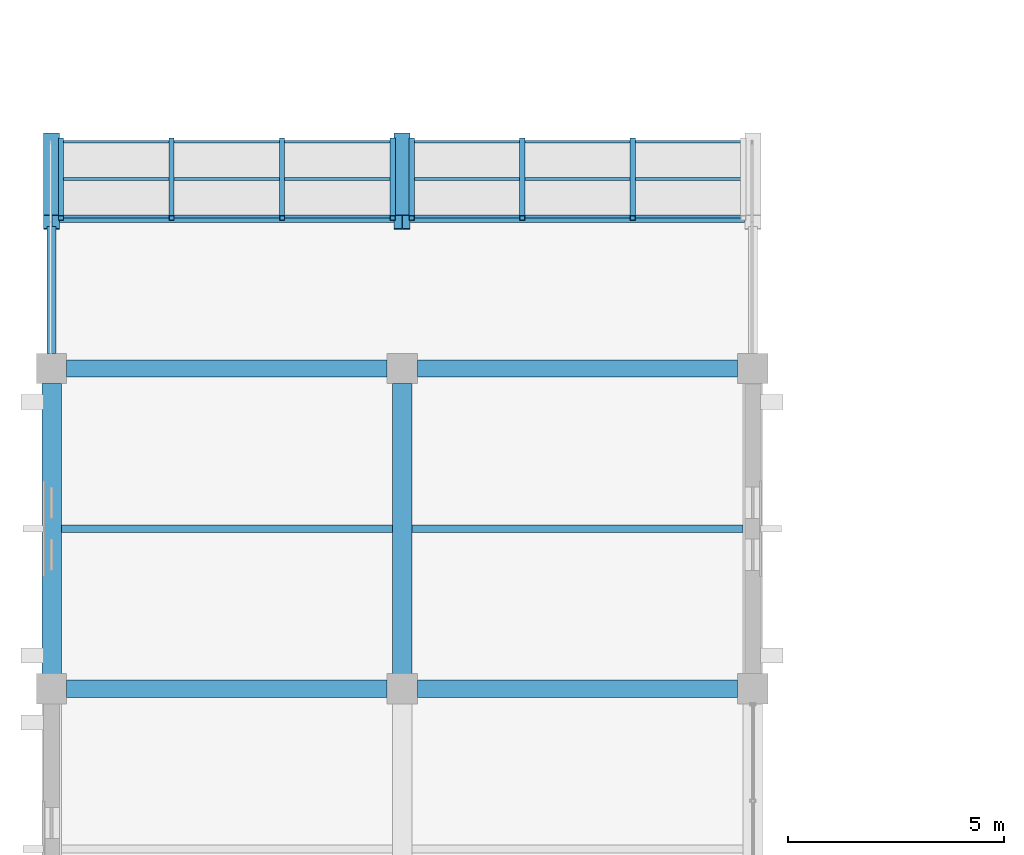
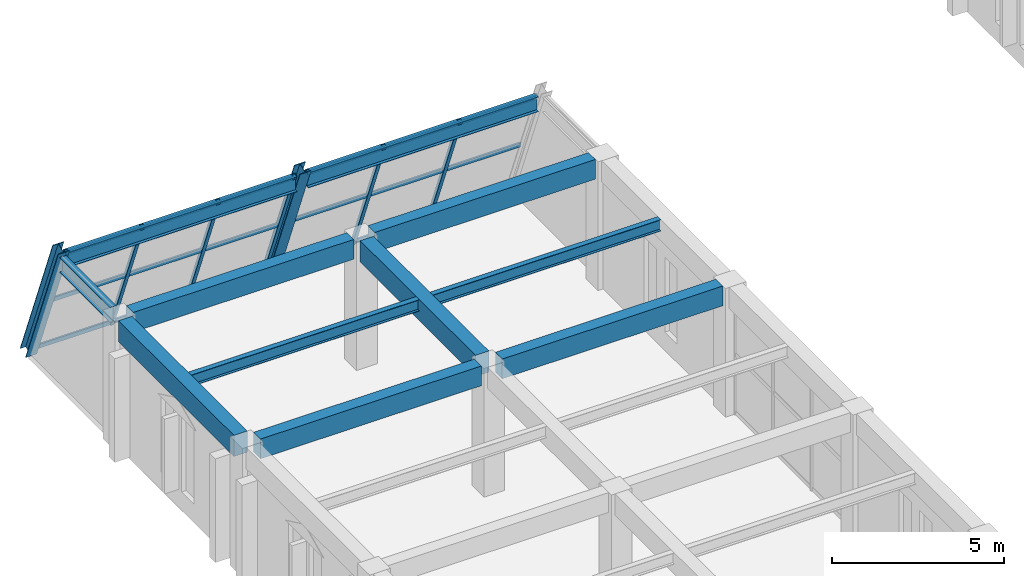
# One storey, part 68 of 161: 15 members, 11 beams, 2 elements without a shape of their own.
"""IFC4 building model written with IfcOpenShell, lengths in metres."""

import ifcopenshell
import ifcopenshell.guid

model = None  # the IFC model being written
_history = None  # IfcOwnerHistory: only IFC2X3 demands one
_inside = {}  # id of a spatial element -> (the spatial element, [elements in it])
_under = {}  # id of a project, library or spatial element -> (it, [spatial elements below it])
_declared = {}  # id of a project -> (the project, [libraries it declares])
_typed = {}  # id of a type object -> (the type object, [elements of that type])
_made_of = {}  # id of a material, layer set ... -> (it, [elements and type objects made of it])


def new_model(schema):
    """Start an empty IFC model of exactly this schema.

    Asked for "IFC4X3", IfcOpenShell would pick the latest addendum, in which some entities
    have other attributes; the version numbers below select the first issue.
    IFC2X3 requires an IfcOwnerHistory on every rooted entity: one is made here for all.
    """
    global model, _history
    if schema == "IFC4X3":
        model = ifcopenshell.file(schema_version=(4, 3, 0, 0))
    else:
        model = ifcopenshell.file(schema=schema)
    _inside.clear()
    _under.clear()
    _declared.clear()
    _typed.clear()
    _made_of.clear()
    _history = None
    if model.schema == "IFC2X3":
        org = make("IfcOrganization", Name="unknown")
        user = make(
            "IfcPersonAndOrganization",
            ThePerson=make("IfcPerson", FamilyName="unknown"),
            TheOrganization=org,
        )
        app = make(
            "IfcApplication",
            ApplicationDeveloper=org,
            Version="unknown",
            ApplicationFullName="unknown",
            ApplicationIdentifier="unknown",
        )
        _history = make(
            "IfcOwnerHistory",
            OwningUser=user,
            OwningApplication=app,
            ChangeAction="ADDED",
            CreationDate=0,
        )
    return model


def make(cls, **values):
    """One entity of the class cls with the attributes given. An attribute that is None is left unset."""
    return model.create_entity(
        cls, **{name: value for name, value in values.items() if value is not None}
    )


def rooted(cls, **values):
    """An entity with a GlobalId (a new one), such as an element, a storey or a relation."""
    return make(cls, GlobalId=ifcopenshell.guid.new(), OwnerHistory=_history, **values)


def si_unit(unit_type, name, prefix=None):
    """IfcSIUnit, for example si_unit("LENGTHUNIT", "METRE", prefix="MILLI")."""
    return make("IfcSIUnit", UnitType=unit_type, Prefix=prefix, Name=name)


def assignment(units):
    """IfcUnitAssignment: the units of a project."""
    return None if units is None else make("IfcUnitAssignment", Units=units)


def point(xyz):
    """IfcCartesianPoint."""
    return None if xyz is None else make("IfcCartesianPoint", Coordinates=xyz)


def direction(xyz):
    """IfcDirection."""
    return None if xyz is None else make("IfcDirection", DirectionRatios=xyz)


def frame(location, z_axis=None, x_axis=None):
    """IfcAxis2Placement3D, a coordinate frame: its origin and axes. An axis left out is left unset."""
    return make(
        "IfcAxis2Placement3D",
        Location=point(location),
        Axis=direction(z_axis),
        RefDirection=direction(x_axis),
    )


def frame_2d(location, x_axis=None):
    """IfcAxis2Placement2D, a coordinate frame in the plane: its origin and x axis."""
    return make(
        "IfcAxis2Placement2D", Location=point(location), RefDirection=direction(x_axis)
    )


def origin():
    """The frame at (0, 0, 0) with its axes left unset."""
    return frame((0.0, 0.0, 0.0))


def origin_2d():
    """The frame at (0, 0) in the plane with its x axis left unset."""
    return frame_2d((0.0, 0.0))


def place(relative_to, where):
    """IfcLocalPlacement: puts the frame where relative to a parent placement (None: the world)."""
    return make(
        "IfcLocalPlacement", PlacementRelTo=relative_to, RelativePlacement=where
    )


def context(
    kind, dimensions, precision=None, world=None, true_north=None, identifier=None
):
    """IfcGeometricRepresentationContext, for example the 3D "Model" context."""
    return make(
        "IfcGeometricRepresentationContext",
        ContextIdentifier=identifier,
        ContextType=kind,
        CoordinateSpaceDimension=dimensions,
        Precision=precision,
        WorldCoordinateSystem=world,
        TrueNorth=true_north,
    )


def subcontext(parent, identifier, kind, view, scale=None):
    """IfcGeometricRepresentationSubContext, for example "Body" below "Model"."""
    return make(
        "IfcGeometricRepresentationSubContext",
        ContextIdentifier=identifier,
        ContextType=kind,
        ParentContext=parent,
        TargetScale=scale,
        TargetView=view,
    )


def project(units=None, contexts=None):
    """IfcProject with its units and contexts."""
    return rooted(
        "IfcProject",
        Name="project",
        RepresentationContexts=contexts,
        UnitsInContext=assignment(units),
    )


def spatial(cls, under=None, at=None, **own):
    """A site, building, storey or space (cls), placed at a placement, below another one or the project."""
    s = rooted(cls, ObjectPlacement=at, **own)
    if under is not None:
        _under.setdefault(under.id(), (under, []))[1].append(s)
    return s


def profile(cls, at=None, kind="AREA", **sizes):
    """A parametric profile (cls). Its sizes go by their IFC names, for example OverallWidth=200.0."""
    return make(cls, ProfileType=kind, Position=at, **sizes)


def rectangle(**sizes):
    """IfcRectangleProfileDef."""
    return profile("IfcRectangleProfileDef", **sizes)


def hollow_rectangle(**sizes):
    """IfcRectangleHollowProfileDef."""
    return profile("IfcRectangleHollowProfileDef", **sizes)


def i_section(**sizes):
    """IfcIShapeProfileDef."""
    return profile("IfcIShapeProfileDef", **sizes)


def extrude(swept, where, along, depth):
    """IfcExtrudedAreaSolid: the profile swept, set in the frame where, extruded along a direction by depth."""
    return make(
        "IfcExtrudedAreaSolid",
        SweptArea=swept,
        Position=where,
        ExtrudedDirection=direction(along),
        Depth=depth,
    )


def shape(context_of_items, identifier, shape_type, items):
    """IfcShapeRepresentation: the items that make up one representation, for example the "Body"."""
    return make(
        "IfcShapeRepresentation",
        ContextOfItems=context_of_items,
        RepresentationIdentifier=identifier,
        RepresentationType=shape_type,
        Items=items,
    )


def material(Name=None, Category=None):
    """IfcMaterial."""
    return make("IfcMaterial", Name=Name, Category=Category)


def material_profile(
    of_material, cross_section, Name=None, Category=None, Priority=None
):
    """IfcMaterialProfile: a cross section and its material."""
    return make(
        "IfcMaterialProfile",
        Name=Name,
        Material=of_material,
        Profile=cross_section,
        Priority=Priority,
        Category=Category,
    )


def profile_set(profiles, Name=None, composite=None):
    """IfcMaterialProfileSet."""
    return make(
        "IfcMaterialProfileSet",
        Name=Name,
        MaterialProfiles=profiles,
        CompositeProfile=composite,
    )


def made_of(thing, what):
    """Note that an element or type object is made of a material, layer set ...; save() writes the relation."""
    if what is not None:
        _made_of.setdefault(what.id(), (what, []))[1].append(thing)
    return thing


def type_object(cls, material=None, **own):
    """A type object (cls), such as IfcWallType, which elements share."""
    return made_of(rooted(cls, **own), material)


def element(
    cls,
    number,
    at=None,
    inside=None,
    cuts=None,
    type_object=None,
    material=None,
    context=None,
    identifier="Body",
    shape_type=None,
    held_by="IfcProductDefinitionShape",
    body=None,
    shapes=None,
    **own,
):
    """One element of the class cls, such as IfcWall. Its Tag is "e" and its number.

    at: its placement. inside: the storey or other place that contains it. cuts: it is an
    opening in that element (IfcRelVoidsElement). A single representation is given by context,
    identifier, shape_type and body (its items); several are given by shapes. held_by: the class
    of the entity that holds the representations. save() writes the other relations.
    """
    e = rooted(cls, Tag="e%d" % number, ObjectPlacement=at, **own)
    if body is not None:
        shapes = [shape(context, identifier, shape_type, body)]
    if shapes is not None:
        e.Representation = make(held_by, Representations=shapes)
    if inside is not None:
        _inside.setdefault(inside.id(), (inside, []))[1].append(e)
    if cuts is not None:
        rooted(
            "IfcRelVoidsElement", RelatingBuildingElement=cuts, RelatedOpeningElement=e
        )
    if type_object is not None:
        _typed.setdefault(type_object.id(), (type_object, []))[1].append(e)
    return made_of(e, material)


def aggregate(whole, parts):
    """IfcRelAggregates: a whole, such as a stair, and the parts it consists of."""
    return rooted("IfcRelAggregates", RelatingObject=whole, RelatedObjects=parts)


def save(model, path):
    """Write the relations noted so far, then the file.

    IfcRelAggregates (storeys below a building ...), IfcRelContainedInSpatialStructure (elements
    in a storey), IfcRelDefinesByType, IfcRelAssociatesMaterial and IfcRelDeclares: one each for
    every whole, place, type object, material and project.
    """
    for whole, parts in _under.values():
        aggregate(whole, parts)
    for where, things in _inside.values():
        rooted(
            "IfcRelContainedInSpatialStructure",
            RelatedElements=things,
            RelatingStructure=where,
        )
    for kind, things in _typed.values():
        rooted("IfcRelDefinesByType", RelatedObjects=things, RelatingType=kind)
    for what, things in _made_of.values():
        rooted("IfcRelAssociatesMaterial", RelatedObjects=things, RelatingMaterial=what)
    for by, libraries in _declared.values():
        rooted("IfcRelDeclares", RelatingContext=by, RelatedDefinitions=libraries)
    model.write(path)


model = new_model("IFC4")

# Units and contexts
model_context = context("Model", 3, precision=1e-05, world=origin(), true_north=direction((0.0, 1.0)))
body_context = subcontext(model_context, "Body", "Model", "MODEL_VIEW")
ifc_project = project(units=[si_unit("LENGTHUNIT", "METRE"), si_unit("AREAUNIT", "SQUARE_METRE"), si_unit("VOLUMEUNIT", "CUBIC_METRE"), si_unit("PLANEANGLEUNIT", "RADIAN"), si_unit("MASSUNIT", "GRAM", prefix="KILO")], contexts=[model_context])

# Site, building, storey
site_placement = place(None, origin())
site = spatial("IfcSite", under=ifc_project, at=site_placement, CompositionType="ELEMENT")
building_placement = place(site_placement, origin())
building = spatial("IfcBuilding", under=site, at=building_placement, Name="Cimatlan Art Gallery", CompositionType="ELEMENT")
storey_placement = place(building_placement, frame((0.0, 0.0, 5.39990234375)))
storey = spatial("IfcBuildingStorey", under=building, at=storey_placement, Name="L01", CompositionType="ELEMENT", Elevation=5.39990234375)

# Beams
ifc_material_1 = material(Name="Concrete C40/50", Category="concrete")
ifc_material_profile_1 = material_profile(ifc_material_1, rectangle(XDim=0.39990234375, YDim=0.699951171875, at=origin_2d()), Name="RC400X700")
ifc_profile_set_1 = profile_set([ifc_material_profile_1], Name="Concrete C40/50")
beam_type_1 = type_object("IfcBeamType", Name="BM-RC-400X700", PredefinedType="BEAM", material=ifc_profile_set_1)
for number, where, z_axis, x_axis, name in (
    (1, (2.35009765625, 83.10009765625, 4.210205078125), (1.0, 0.0, 0.0), (0.0, 1.0, 0.0), "BM-X-L01-00-11"),
    (2, (2.35009765625, 90.5, 4.210205078125), (1.0, 0.0, 0.0), (0.0, 1.0, 0.0), "BM-X-L01-00-12"),
):
    element("IfcBeam", number, at=place(storey_placement, frame(where, z_axis=z_axis, x_axis=x_axis)), inside=storey, type_object=beam_type_1, Name=name, PredefinedType="BEAM", context=body_context, shape_type="SweptSolid", body=[
        extrude(rectangle(XDim=0.39990234375, YDim=0.699951171875, at=origin_2d()), origin(), (0.0, 0.0, 1.0), 7.39990234375),
    ])
for number, where, z_axis, x_axis, name in (
    (3, (10.449951171875, 83.10009765625, 4.210205078125), (1.0, 0.0, 0.0), (0.0, 1.0, 0.0), "BM-X-L01-01-11"),
    (4, (10.449951171875, 90.5, 4.210205078125), (1.0, 0.0, 0.0), (0.0, 1.0, 0.0), "BM-X-L01-01-12"),
):
    element("IfcBeam", number, at=place(storey_placement, frame(where, z_axis=z_axis, x_axis=x_axis)), inside=storey, type_object=beam_type_1, Name=name, PredefinedType="BEAM", context=body_context, shape_type="SweptSolid", body=[
        extrude(rectangle(XDim=0.39990234375, YDim=0.699951171875, at=origin_2d()), origin(), (0.0, 0.0, 1.0), 7.400146484375),
    ])
ifc_material_profile_2 = material_profile(ifc_material_1, rectangle(XDim=0.449951171875, YDim=0.75, at=origin_2d()), Name="RC450X750")
ifc_profile_set_2 = profile_set([ifc_material_profile_2], Name="Concrete C40/50")
beam_type_2 = type_object("IfcBeamType", Name="BM-RC-450X750", PredefinedType="BEAM", material=ifc_profile_set_2)
for number, where, z_axis, x_axis, name in (
    (5, (2.0, 83.449951171875, 4.18505859375), (0.0, 1.0, 0.0), (-1.0, 0.0, 0.0), "BM-Y-L01-00-11"),
    (6, (10.10009765625, 83.449951171875, 4.18505859375), (0.0, 1.0, 0.0), (-1.0, 0.0, 0.0), "BM-Y-L01-01-11"),
):
    element("IfcBeam", number, at=place(storey_placement, frame(where, z_axis=z_axis, x_axis=x_axis)), inside=storey, type_object=beam_type_2, Name=name, PredefinedType="BEAM", context=body_context, shape_type="SweptSolid", body=[
        extrude(rectangle(XDim=0.449951171875, YDim=0.75, at=origin_2d()), origin(), (0.0, 0.0, 1.0), 6.699951171875),
    ])
ifc_material_2 = material(Name="Steel ASTM A992 Grade 50", Category="steel")
ifc_material_profile_3 = material_profile(ifc_material_2, i_section(OverallWidth=0.177978515625, OverallDepth=0.406982421875, WebThickness=0.0078125, FlangeThickness=0.0126953125, at=origin_2d()), Name="W16X40")
ifc_profile_set_3 = profile_set([ifc_material_profile_3], Name="Steel ASTM A992 Grade 50")
beam_type_3 = type_object("IfcBeamType", Name="BM-STL-W16X40", PredefinedType="JOIST", material=ifc_profile_set_3)
beam_1_placement = place(storey_placement, frame((2.22509765625, 86.800048828125, 4.356689453125), z_axis=(1.0, 0.0, 0.0), x_axis=(0.0, 1.0, 0.0)))
element("IfcBeam", 7, at=beam_1_placement, inside=storey, type_object=beam_type_3, Name="JST-L01-00-11", PredefinedType="JOIST", context=body_context, shape_type="SweptSolid", body=[
    extrude(i_section(OverallWidth=0.177978515625, OverallDepth=0.406982421875, WebThickness=0.0078125, FlangeThickness=0.0126953125, at=origin_2d()), origin(), (0.0, 0.0, 1.0), 7.64990234375),
])
beam_2_placement = place(storey_placement, frame((10.324951171875, 86.800048828125, 4.356689453125), z_axis=(1.0, 0.0, 0.0), x_axis=(0.0, 1.0, 0.0)))
element("IfcBeam", 8, at=beam_2_placement, inside=storey, type_object=beam_type_3, Name="JST-L01-01-11", PredefinedType="JOIST", context=body_context, shape_type="SweptSolid", body=[
    extrude(i_section(OverallWidth=0.177978515625, OverallDepth=0.406982421875, WebThickness=0.0078125, FlangeThickness=0.0126953125, at=origin_2d()), origin(), (0.0, 0.0, 1.0), 7.650146484375),
])
ifc_material_profile_4 = material_profile(ifc_material_2, i_section(OverallWidth=0.2099609375, OverallDepth=0.532958984375, WebThickness=0.01025390625, FlangeThickness=0.015625, at=origin_2d()), Name="W21X62")
ifc_profile_set_4 = profile_set([ifc_material_profile_4], Name="Steel ASTM A992 Grade 50")
beam_type_4 = type_object("IfcBeamType", Name="BM-STL-W21X62", PredefinedType="BEAM", material=ifc_profile_set_4)
for number, where, z_axis, x_axis, name in (
    (9, (2.18994140625, 93.976806640625, 4.293701171875), (1.0, 0.0, 0.0), (0.0, 1.0, 0.0), "BM-PRW-X-L01-B1-0"),
    (10, (10.2900390625, 93.976806640625, 4.293701171875), (1.0, 0.0, 0.0), (0.0, 1.0, 0.0), "BM-PRW-X-L01-B1-1"),
):
    element("IfcBeam", number, at=place(storey_placement, frame(where, z_axis=z_axis, x_axis=x_axis)), inside=storey, type_object=beam_type_4, Name=name, PredefinedType="BEAM", context=body_context, shape_type="SweptSolid", body=[
        extrude(i_section(OverallWidth=0.2099609375, OverallDepth=0.532958984375, WebThickness=0.01025390625, FlangeThickness=0.015625, at=origin_2d()), origin(), (0.0, 0.0, 1.0), 7.719970703125),
    ])
beam_3_placement = place(storey_placement, frame((2.0, 90.85009765625, 4.293701171875), z_axis=(0.0, 1.0, 0.0), x_axis=(-1.0, 0.0, 0.0)))
element("IfcBeam", 11, at=beam_3_placement, inside=storey, type_object=beam_type_4, Name="BM-PRW-Y-L01-B1-0", PredefinedType="BEAM", context=body_context, shape_type="SweptSolid", body=[
    extrude(i_section(OverallWidth=0.2099609375, OverallDepth=0.532958984375, WebThickness=0.01025390625, FlangeThickness=0.015625, at=origin_2d()), origin(), (0.0, 0.0, 1.0), 2.9365234375),
])

# Curtain wall, members
ifc_material_3 = material(Name="Raked steel-and-bronze lancet curtain wall", Category="steel")
curtain_wall_type = type_object("IfcCurtainWallType", Name="CW-RAK-07660X04901-B3", PredefinedType="NOTDEFINED", material=ifc_material_3)
curtain_wall_1_placement = place(storey_placement, origin())
curtain_wall_1 = element("IfcCurtainWall", 12, at=curtain_wall_1_placement, inside=storey, type_object=curtain_wall_type, Name="CW-PROW-L01-B1-0", PredefinedType="NOTDEFINED")
ifc_material_4 = material(Name="Steel ASTM A500 Grade C", Category="steel")
ifc_material_profile_5 = material_profile(ifc_material_4, hollow_rectangle(XDim=0.1201171875, YDim=0.1201171875, WallThickness=0.00634765625, at=origin_2d()), Name="HSS120X120X6")
ifc_profile_set_5 = profile_set([ifc_material_profile_5], Name="Steel ASTM A500 Grade C")
member_type_1 = type_object("IfcMemberType", Name="CW-MUL-RAK", PredefinedType="MULLION", material=ifc_profile_set_5)
member_1_placement = place(storey_placement, frame((2.219970703125, 95.77294921875, 0.0), z_axis=(0.0, -0.366481396036, 0.930425379254), x_axis=(1.0, 0.0, 0.0)))
member_1 = element("IfcMember", 13, at=member_1_placement, type_object=member_type_1, Name="CW-PROW-L01-B1-0-M1", PredefinedType="MULLION", context=body_context, shape_type="SweptSolid", body=[
    extrude(hollow_rectangle(XDim=0.1201171875, YDim=0.1201171875, WallThickness=0.00634765625, at=origin_2d()), origin(), (0.0, 0.0, 1.0), 4.901123046875),
])
member_2_placement = place(storey_placement, frame((4.773193359375, 95.77294921875, 0.0), z_axis=(0.0, -0.366481396036, 0.930425379254), x_axis=(1.0, 0.0, 0.0)))
member_2 = element("IfcMember", 14, at=member_2_placement, type_object=member_type_1, Name="CW-PROW-L01-B1-0-M2", PredefinedType="MULLION", context=body_context, shape_type="SweptSolid", body=[
    extrude(hollow_rectangle(XDim=0.1201171875, YDim=0.1201171875, WallThickness=0.00634765625, at=origin_2d()), origin(), (0.0, 0.0, 1.0), 4.901123046875),
])
member_3_placement = place(storey_placement, frame((7.32666015625, 95.77294921875, 0.0), z_axis=(0.0, -0.366481396036, 0.930425379254), x_axis=(1.0, 0.0, 0.0)))
member_3 = element("IfcMember", 15, at=member_3_placement, type_object=member_type_1, Name="CW-PROW-L01-B1-0-M3", PredefinedType="MULLION", context=body_context, shape_type="SweptSolid", body=[
    extrude(hollow_rectangle(XDim=0.1201171875, YDim=0.1201171875, WallThickness=0.00634765625, at=origin_2d()), origin(), (0.0, 0.0, 1.0), 4.901123046875),
])
member_4_placement = place(storey_placement, frame((9.8798828125, 95.77294921875, 0.0), z_axis=(0.0, -0.366481396036, 0.930425379254), x_axis=(1.0, 0.0, 0.0)))
member_4 = element("IfcMember", 16, at=member_4_placement, type_object=member_type_1, Name="CW-PROW-L01-B1-0-M4", PredefinedType="MULLION", context=body_context, shape_type="SweptSolid", body=[
    extrude(hollow_rectangle(XDim=0.1201171875, YDim=0.1201171875, WallThickness=0.00634765625, at=origin_2d()), origin(), (0.0, 0.0, 1.0), 4.901123046875),
])

curtain_wall_2_placement = place(storey_placement, origin())
curtain_wall_2 = element("IfcCurtainWall", 17, at=curtain_wall_2_placement, inside=storey, type_object=curtain_wall_type, Name="CW-PROW-L01-B1-1", PredefinedType="NOTDEFINED")
member_5_placement = place(storey_placement, frame((10.320068359375, 95.77294921875, 0.0), z_axis=(0.0, -0.366481396036, 0.930425379254), x_axis=(1.0, 0.0, 0.0)))
member_5 = element("IfcMember", 18, at=member_5_placement, type_object=member_type_1, Name="CW-PROW-L01-B1-1-M1", PredefinedType="MULLION", context=body_context, shape_type="SweptSolid", body=[
    extrude(hollow_rectangle(XDim=0.1201171875, YDim=0.1201171875, WallThickness=0.00634765625, at=origin_2d()), origin(), (0.0, 0.0, 1.0), 4.901123046875),
])
member_6_placement = place(storey_placement, frame((12.873291015625, 95.77294921875, 0.0), z_axis=(0.0, -0.366481396036, 0.930425379254), x_axis=(1.0, 0.0, 0.0)))
member_6 = element("IfcMember", 19, at=member_6_placement, type_object=member_type_1, Name="CW-PROW-L01-B1-1-M2", PredefinedType="MULLION", context=body_context, shape_type="SweptSolid", body=[
    extrude(hollow_rectangle(XDim=0.1201171875, YDim=0.1201171875, WallThickness=0.00634765625, at=origin_2d()), origin(), (0.0, 0.0, 1.0), 4.901123046875),
])
member_7_placement = place(storey_placement, frame((15.4267578125, 95.77294921875, 0.0), z_axis=(0.0, -0.366481396036, 0.930425379254), x_axis=(1.0, 0.0, 0.0)))
member_7 = element("IfcMember", 20, at=member_7_placement, type_object=member_type_1, Name="CW-PROW-L01-B1-1-M3", PredefinedType="MULLION", context=body_context, shape_type="SweptSolid", body=[
    extrude(hollow_rectangle(XDim=0.1201171875, YDim=0.1201171875, WallThickness=0.00634765625, at=origin_2d()), origin(), (0.0, 0.0, 1.0), 4.901123046875),
])

# Member
ifc_material_5 = material(Name="Anodised bronze aluminium 6063-T6", Category="aluminium")
ifc_material_profile_6 = material_profile(ifc_material_5, hollow_rectangle(XDim=0.06494140625, YDim=0.139892578125, WallThickness=0.00390625, at=origin_2d()), Name="ALU65X140X4")
ifc_profile_set_6 = profile_set([ifc_material_profile_6], Name="Anodised bronze aluminium 6063-T6")
member_type_2 = type_object("IfcMemberType", Name="CW-TRN-140", PredefinedType="USERDEFINED", material=ifc_profile_set_6)
member_8_placement = place(storey_placement, frame((2.219970703125, 95.737060546875, 0.09130859375), z_axis=(1.0, 0.0, 0.0), x_axis=(0.0, 1.0, 0.0)))
member_8 = element("IfcMember", 21, at=member_8_placement, type_object=member_type_2, Name="CW-PROW-L01-B1-0-T1", ObjectType="TRANSOM", PredefinedType="USERDEFINED", context=body_context, shape_type="SweptSolid", body=[
    extrude(hollow_rectangle(XDim=0.06494140625, YDim=0.139892578125, WallThickness=0.00390625, at=origin_2d()), origin(), (0.0, 0.0, 1.0), 7.659912109375),
])

member_9_placement = place(storey_placement, frame((2.219970703125, 94.874755859375, 2.280029296875), z_axis=(1.0, 0.0, 0.0), x_axis=(0.0, 1.0, 0.0)))
member_9 = element("IfcMember", 22, at=member_9_placement, type_object=member_type_2, Name="CW-PROW-L01-B1-0-T2", ObjectType="TRANSOM", PredefinedType="USERDEFINED", context=body_context, shape_type="SweptSolid", body=[
    extrude(hollow_rectangle(XDim=0.06494140625, YDim=0.139892578125, WallThickness=0.00390625, at=origin_2d()), origin(), (0.0, 0.0, 1.0), 7.659912109375),
])

member_10_placement = place(storey_placement, frame((2.219970703125, 94.0126953125, 4.468994140625), z_axis=(1.0, 0.0, 0.0), x_axis=(0.0, 1.0, 0.0)))
member_10 = element("IfcMember", 23, at=member_10_placement, type_object=member_type_2, Name="CW-PROW-L01-B1-0-T3", ObjectType="TRANSOM", PredefinedType="USERDEFINED", context=body_context, shape_type="SweptSolid", body=[
    extrude(hollow_rectangle(XDim=0.06494140625, YDim=0.139892578125, WallThickness=0.00390625, at=origin_2d()), origin(), (0.0, 0.0, 1.0), 7.659912109375),
])

aggregate(curtain_wall_1, [member_1, member_2, member_3, member_4, member_8, member_9, member_10])

member_11_placement = place(storey_placement, frame((10.320068359375, 95.737060546875, 0.09130859375), z_axis=(1.0, 0.0, 0.0), x_axis=(0.0, 1.0, 0.0)))
member_11 = element("IfcMember", 24, at=member_11_placement, type_object=member_type_2, Name="CW-PROW-L01-B1-1-T1", ObjectType="TRANSOM", PredefinedType="USERDEFINED", context=body_context, shape_type="SweptSolid", body=[
    extrude(hollow_rectangle(XDim=0.06494140625, YDim=0.139892578125, WallThickness=0.00390625, at=origin_2d()), origin(), (0.0, 0.0, 1.0), 7.659912109375),
])

member_12_placement = place(storey_placement, frame((10.320068359375, 94.874755859375, 2.280029296875), z_axis=(1.0, 0.0, 0.0), x_axis=(0.0, 1.0, 0.0)))
member_12 = element("IfcMember", 25, at=member_12_placement, type_object=member_type_2, Name="CW-PROW-L01-B1-1-T2", ObjectType="TRANSOM", PredefinedType="USERDEFINED", context=body_context, shape_type="SweptSolid", body=[
    extrude(hollow_rectangle(XDim=0.06494140625, YDim=0.139892578125, WallThickness=0.00390625, at=origin_2d()), origin(), (0.0, 0.0, 1.0), 7.659912109375),
])

member_13_placement = place(storey_placement, frame((10.320068359375, 94.0126953125, 4.468994140625), z_axis=(1.0, 0.0, 0.0), x_axis=(0.0, 1.0, 0.0)))
member_13 = element("IfcMember", 26, at=member_13_placement, type_object=member_type_2, Name="CW-PROW-L01-B1-1-T3", ObjectType="TRANSOM", PredefinedType="USERDEFINED", context=body_context, shape_type="SweptSolid", body=[
    extrude(hollow_rectangle(XDim=0.06494140625, YDim=0.139892578125, WallThickness=0.00390625, at=origin_2d()), origin(), (0.0, 0.0, 1.0), 7.659912109375),
])

aggregate(curtain_wall_2, [member_5, member_6, member_7, member_11, member_12, member_13])

# Members
ifc_material_profile_7 = material_profile(ifc_material_2, i_section(OverallWidth=0.37109375, OverallDepth=0.364013671875, WebThickness=0.01318359375, FlangeThickness=0.021728515625, at=origin_2d()), Name="W14X109")
ifc_profile_set_7 = profile_set([ifc_material_profile_7], Name="Steel ASTM A992 Grade 50")
member_type_3 = type_object("IfcMemberType", Name="MBR-RAK-W14X109", PredefinedType="RAFTER", material=ifc_profile_set_7)
for number, where, z_axis, x_axis, name in (
    (27, (2.0, 95.77294921875, 0.0), (0.0, -0.366514587358, 0.930412304978), (1.0, 0.0, 0.0), "MBR-RAK-L01-B1-00"),
    (28, (10.10009765625, 95.77294921875, 0.0), (0.0, -0.366514587358, 0.930412304978), (1.0, 0.0, 0.0), "MBR-RAK-L01-B1-01"),
):
    element("IfcMember", number, at=place(storey_placement, frame(where, z_axis=z_axis, x_axis=x_axis)), inside=storey, type_object=member_type_3, Name=name, PredefinedType="RAFTER", context=body_context, shape_type="SweptSolid", body=[
        extrude(i_section(OverallWidth=0.37109375, OverallDepth=0.364013671875, WebThickness=0.01318359375, FlangeThickness=0.021728515625, at=origin_2d()), origin(), (0.0, 0.0, 1.0), 5.158935546875),
    ])

save(model, "model.ifc")
